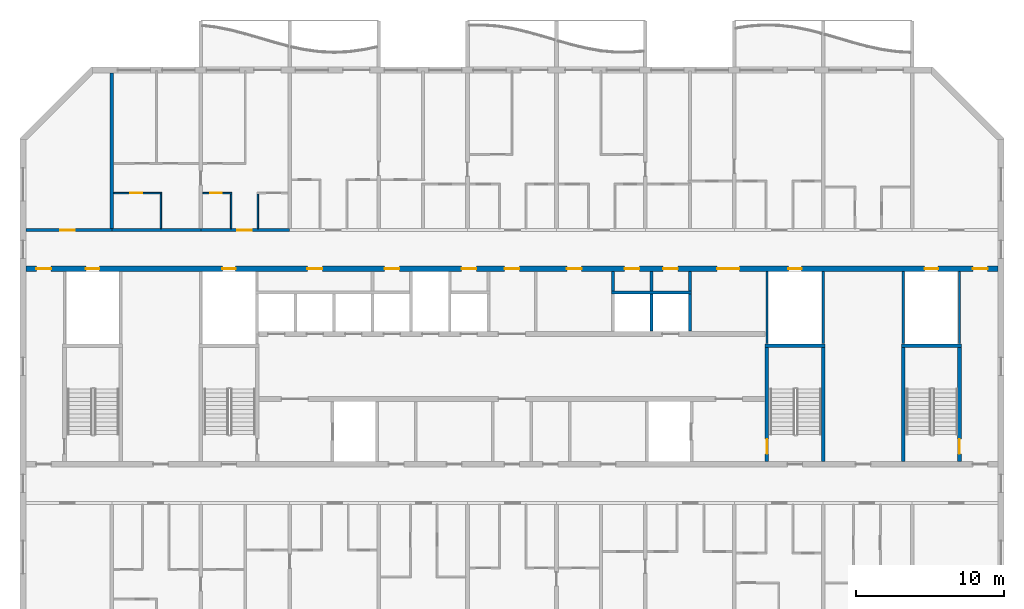
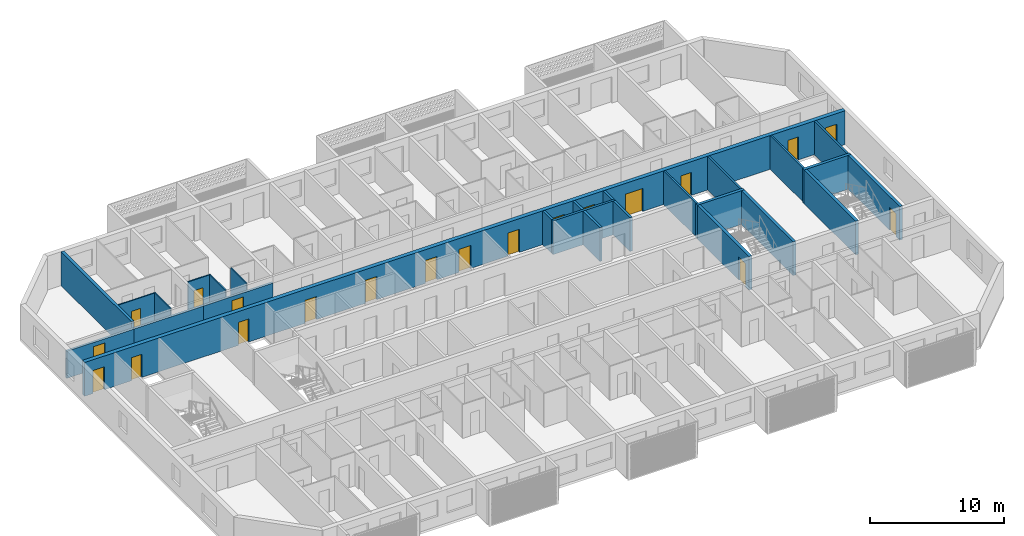
# One storey, part 7 of 27: 26 walls, 20 doors, 20 openings.
"""IFC4 building model written with IfcOpenShell, lengths in metres."""

from ifc_helpers import new_model, si_unit, direction, frame, frame_2d, origin, place, context, subcontext, project, spatial, rectangle, extrude, material, layer, layer_set, type_object, element, fill, save


model = new_model("IFC4")

# Units and contexts
model_context = context("Model", 3, precision=1e-05, world=origin(), true_north=direction((0.0, 1.0)))
body_context = subcontext(model_context, "Body", "Model", "MODEL_VIEW")
ifc_project = project(units=[si_unit("LENGTHUNIT", "METRE"), si_unit("AREAUNIT", "SQUARE_METRE"), si_unit("VOLUMEUNIT", "CUBIC_METRE"), si_unit("PLANEANGLEUNIT", "RADIAN"), si_unit("MASSUNIT", "GRAM", prefix="KILO")], contexts=[model_context])

# Site, building, storey
site_placement = place(None, origin())
site = spatial("IfcSite", under=ifc_project, at=site_placement, CompositionType="ELEMENT")
building_placement = place(site_placement, origin())
building = spatial("IfcBuilding", under=site, at=building_placement, Name="Poui Terraces", CompositionType="ELEMENT")
storey_placement = place(building_placement, frame((0.0, 0.0, 251.10009765625)))
storey = spatial("IfcBuildingStorey", under=building, at=storey_placement, Name="L70", CompositionType="ELEMENT", Elevation=251.10009765625)

# Wall, opening, door
ifc_material_1 = material(Name="Concrete 50 MPa", Category="concrete")
ifc_layer_1 = layer(ifc_material_1, 0.199951171875)
ifc_layer_set_1 = layer_set([ifc_layer_1], Name="Concrete 50 MPa")
wall_type_1 = type_object("IfcWallType", Name="CORRIDOR WALL 200 50MPa", PredefinedType="SHEAR", material=ifc_layer_set_1)
wall_1_placement = place(storey_placement, frame((18.199951171875, 30.39990234375, 0.0), z_axis=(0.0, 0.0, 1.0), x_axis=(1.0, 0.0, 0.0)))
wall_1 = element("IfcWall", 1, at=wall_1_placement, inside=storey, type_object=wall_type_1, Name="CORRIDOR WALL LINE E BAY 1", PredefinedType="SHEAR", context=body_context, shape_type="SweptSolid", body=[
    extrude(rectangle(XDim=5.800048828125, YDim=0.199951171875, at=frame_2d((2.89990234375, 0.0))), origin(), (0.0, 0.0, 1.0), 2.47998046875),
])
opening_1_placement = place(wall_1_placement, frame((2.300048828125, 0.0, 0.0)))
opening_1 = element("IfcOpeningElement", 2, at=opening_1_placement, cuts=wall_1, Name="Opening D100", PredefinedType="OPENING", context=body_context, shape_type="SweptSolid", body=[
    extrude(rectangle(XDim=1.0, YDim=2.10009765625, at=frame_2d((0.5, 1.050048828125))), frame((0.0, 0.10986328125, 0.0), z_axis=(0.0, -1.0, 0.0), x_axis=(1.0, 0.0, 0.0)), (0.0, 0.0, 1.0), 0.219970703125),
])
ifc_material_2 = material(Name="Solid core timber door", Category="wood")
door_type_1 = type_object("IfcDoorType", Name="ACCESSIBLE INTERNAL DOOR 1000 X 2100", OperationType="NOTDEFINED", PredefinedType="DOOR", material=ifc_material_2)
door_1_placement = place(opening_1_placement, origin())
door_1 = element("IfcDoor", 3, at=door_1_placement, inside=storey, type_object=door_type_1, Name="ACCESSIBLE INTERNAL DOOR 026", OperationType="SINGLE_SWING_LEFT", OverallHeight=2.10009765625, OverallWidth=1.0, PredefinedType="DOOR", context=body_context, shape_type="SweptSolid", body=[
    extrude(rectangle(XDim=1.0, YDim=2.10009765625, at=frame_2d((0.5, 1.050048828125))), frame((0.0, 0.02490234375, 0.0), z_axis=(0.0, -1.0, 0.0), x_axis=(1.0, 0.0, 0.0)), (0.0, 0.0, 1.0), 0.050048828125),
])
fill(opening_1, door_1)

# Wall
wall_2_placement = place(storey_placement, frame((24.0, 30.39990234375, 0.0), z_axis=(0.0, 0.0, 1.0), x_axis=(1.0, 0.0, 0.0)))
element("IfcWall", 4, at=wall_2_placement, inside=storey, type_object=wall_type_1, Name="CORRIDOR WALL LINE E BAY 2", PredefinedType="SHEAR", context=body_context, shape_type="SweptSolid", body=[
    extrude(rectangle(XDim=6.0, YDim=0.199951171875, at=frame_2d((3.0, 0.0))), origin(), (0.0, 0.0, 1.0), 2.47998046875),
])

# Wall, opening, door
wall_3_placement = place(storey_placement, frame((30.0, 30.39990234375, 0.0), z_axis=(0.0, 0.0, 1.0), x_axis=(1.0, 0.0, 0.0)))
wall_3 = element("IfcWall", 5, at=wall_3_placement, inside=storey, type_object=wall_type_1, Name="CORRIDOR WALL LINE E BAY 3", PredefinedType="SHEAR", context=body_context, shape_type="SweptSolid", body=[
    extrude(rectangle(XDim=6.0, YDim=0.199951171875, at=frame_2d((3.0, 0.0))), origin(), (0.0, 0.0, 1.0), 2.47998046875),
])
opening_2_placement = place(wall_3_placement, frame((2.449951171875, 0.0, 0.0)))
opening_2 = element("IfcOpeningElement", 6, at=opening_2_placement, cuts=wall_3, Name="Opening FD30S", PredefinedType="OPENING", context=body_context, shape_type="SweptSolid", body=[
    extrude(rectangle(XDim=1.0, YDim=2.10009765625, at=frame_2d((0.5, 1.050048828125))), frame((0.0, 0.10986328125, 0.0), z_axis=(0.0, -1.0, 0.0), x_axis=(1.0, 0.0, 0.0)), (0.0, 0.0, 1.0), 0.219970703125),
])
ifc_material_3 = material(Name="Steel fire door", Category="steel")
door_type_2 = type_object("IfcDoorType", Name="FLAT ENTRANCE DOOR 1000 X 2100", OperationType="NOTDEFINED", PredefinedType="DOOR", material=ifc_material_3)
door_2_placement = place(opening_2_placement, origin())
door_2 = element("IfcDoor", 7, at=door_2_placement, inside=storey, type_object=door_type_2, Name="FLAT ENTRANCE DOOR 033", OperationType="SINGLE_SWING_LEFT", OverallHeight=2.10009765625, OverallWidth=1.0, PredefinedType="DOOR", context=body_context, shape_type="SweptSolid", body=[
    extrude(rectangle(XDim=1.0, YDim=2.10009765625, at=frame_2d((0.5, 1.050048828125))), frame((0.0, 0.02490234375, 0.0), z_axis=(0.0, -1.0, 0.0), x_axis=(1.0, 0.0, 0.0)), (0.0, 0.0, 1.0), 0.050048828125),
])
fill(opening_2, door_2)

# Wall
ifc_layer_2 = layer(ifc_material_1, 0.25)
ifc_layer_set_2 = layer_set([ifc_layer_2], Name="Concrete 50 MPa")
wall_type_2 = type_object("IfcWallType", Name="CROSS WALL 250 50MPa", PredefinedType="SHEAR", material=ifc_layer_set_2)
wall_4_placement = place(storey_placement, frame((24.0, 30.5, 0.0), z_axis=(0.0, 0.0, 1.0), x_axis=(0.0, 1.0, 0.0)))
element("IfcWall", 8, at=wall_4_placement, inside=storey, type_object=wall_type_2, Name="CROSS WALL LINE 5 NORTH", PredefinedType="SHEAR", context=body_context, shape_type="SweptSolid", body=[
    extrude(rectangle(XDim=10.5, YDim=0.25, at=frame_2d((5.25, 0.0))), origin(), (0.0, 0.0, 1.0), 3.079833984375),
])

# Wall, opening, door
ifc_material_4 = material(Name="Plasterboard partition")
ifc_layer_3 = layer(ifc_material_4, 0.10009765625)
ifc_layer_set_3 = layer_set([ifc_layer_3], Name="Plasterboard partition")
wall_type_3 = type_object("IfcWallType", Name="FLAT PARTITION 100", PredefinedType="PARTITIONING", material=ifc_layer_set_3)
wall_5_placement = place(storey_placement, frame((24.135009765625, 32.89990234375, 0.0), z_axis=(0.0, 0.0, 1.0), x_axis=(1.0, 0.0, 0.0)))
wall_5 = element("IfcWall", 9, at=wall_5_placement, inside=storey, type_object=wall_type_3, Name="FLAT PARTITION 100", PredefinedType="PARTITIONING", context=body_context, shape_type="SweptSolid", body=[
    extrude(rectangle(XDim=3.215087890625, YDim=0.10009765625, at=frame_2d((1.607421875, 0.0))), origin(), (0.0, 0.0, 1.0), 3.079833984375),
])
opening_3_placement = place(wall_5_placement, frame((1.114990234375, 0.0, 0.0)))
opening_3 = element("IfcOpeningElement", 10, at=opening_3_placement, cuts=wall_5, Name="Opening D80", PredefinedType="OPENING", context=body_context, shape_type="SweptSolid", body=[
    extrude(rectangle(XDim=0.800048828125, YDim=2.10009765625, at=frame_2d((0.39990234375, 1.050048828125))), frame((0.0, 0.06005859375, 0.0), z_axis=(0.0, -1.0, 0.0), x_axis=(1.0, 0.0, 0.0)), (0.0, 0.0, 1.0), 0.1201171875),
])
door_type_3 = type_object("IfcDoorType", Name="BATHROOM, LAUNDRY AND STORE DOOR 800 X 2100", OperationType="NOTDEFINED", PredefinedType="DOOR", material=ifc_material_2)
door_3_placement = place(opening_3_placement, frame((0.800048828125, 0.0, 0.0), z_axis=(0.0, 0.0, 1.0), x_axis=(-1.0, 0.0, 0.0)))
door_3 = element("IfcDoor", 11, at=door_3_placement, inside=storey, type_object=door_type_3, Name="BATHROOM, LAUNDRY AND STORE DOOR 027", OperationType="SINGLE_SWING_LEFT", OverallHeight=2.10009765625, OverallWidth=0.800048828125, PredefinedType="DOOR", context=body_context, shape_type="SweptSolid", body=[
    extrude(rectangle(XDim=0.800048828125, YDim=2.10009765625, at=frame_2d((0.39990234375, 1.050048828125))), frame((0.0, 0.02490234375, 0.0), z_axis=(0.0, -1.0, 0.0), x_axis=(1.0, 0.0, 0.0)), (0.0, 0.0, 1.0), 0.050048828125),
])
fill(opening_3, door_3)

wall_6_placement = place(storey_placement, frame((30.135009765625, 32.89990234375, 0.0), z_axis=(0.0, 0.0, 1.0), x_axis=(1.0, 0.0, 0.0)))
wall_6 = element("IfcWall", 12, at=wall_6_placement, inside=storey, type_object=wall_type_3, Name="FLAT PARTITION 100", PredefinedType="PARTITIONING", context=body_context, shape_type="SweptSolid", body=[
    extrude(rectangle(XDim=1.965087890625, YDim=0.10009765625, at=frame_2d((0.982421875, 0.0))), origin(), (0.0, 0.0, 1.0), 3.079833984375),
])
opening_4_placement = place(wall_6_placement, frame((0.489990234375, 0.0, 0.0)))
opening_4 = element("IfcOpeningElement", 13, at=opening_4_placement, cuts=wall_6, Name="Opening D80", PredefinedType="OPENING", context=body_context, shape_type="SweptSolid", body=[
    extrude(rectangle(XDim=0.800048828125, YDim=2.10009765625, at=frame_2d((0.39990234375, 1.050048828125))), frame((0.0, 0.06005859375, 0.0), z_axis=(0.0, -1.0, 0.0), x_axis=(1.0, 0.0, 0.0)), (0.0, 0.0, 1.0), 0.1201171875),
])
door_4_placement = place(opening_4_placement, frame((0.800048828125, 0.0, 0.0), z_axis=(0.0, 0.0, 1.0), x_axis=(-1.0, 0.0, 0.0)))
door_4 = element("IfcDoor", 14, at=door_4_placement, inside=storey, type_object=door_type_3, Name="BATHROOM, LAUNDRY AND STORE DOOR 032", OperationType="SINGLE_SWING_RIGHT", OverallHeight=2.10009765625, OverallWidth=0.800048828125, PredefinedType="DOOR", context=body_context, shape_type="SweptSolid", body=[
    extrude(rectangle(XDim=0.800048828125, YDim=2.10009765625, at=frame_2d((0.39990234375, 1.050048828125))), frame((0.0, 0.02490234375, 0.0), z_axis=(0.0, -1.0, 0.0), x_axis=(1.0, 0.0, 0.0)), (0.0, 0.0, 1.0), 0.050048828125),
])
fill(opening_4, door_4)

# Walls
for number, where, z_axis, x_axis, name in (
    (15, (27.300048828125, 30.510009765625, 0.0), (0.0, 0.0, 1.0), (0.0, 1.0, 0.0), "FLAT PARTITION 100"),
    (16, (32.050048828125, 30.510009765625, 0.0), (0.0, 0.0, 1.0), (0.0, 1.0, 0.0), "FLAT PARTITION 100"),
    (17, (33.85009765625, 30.510009765625, 0.0), (0.0, 0.0, 1.0), (0.0, 1.0, 0.0), "FLAT PARTITION 100"),
):
    element("IfcWall", number, at=place(storey_placement, frame(where, z_axis=z_axis, x_axis=x_axis)), inside=storey, type_object=wall_type_3, Name=name, PredefinedType="PARTITIONING", context=body_context, shape_type="SweptSolid", body=[
        extrude(rectangle(XDim=2.340087890625, YDim=0.10009765625, at=frame_2d((1.169921875, 0.0))), origin(), (0.0, 0.0, 1.0), 3.079833984375),
    ])
ifc_material_5 = material(Name="Fire-rated masonry wall", Category="masonry")
ifc_layer_4 = layer(ifc_material_5, 0.199951171875)
ifc_layer_set_4 = layer_set([ifc_layer_4], Name="Fire-rated masonry wall")
wall_type_4 = type_object("IfcWallType", Name="PLANT ROOM WALL 200", PredefinedType="PARTITIONING", material=ifc_layer_set_4)
for number, where, z_axis, x_axis, name in (
    (18, (57.800048828125, 26.300048828125, 0.0), (0.0, 0.0, 1.0), (0.0, 1.0, 0.0), "PLANT ROOM WALL 200"),
    (19, (60.39990234375, 26.300048828125, 0.0), (0.0, 0.0, 1.0), (0.0, 1.0, 0.0), "PLANT ROOM WALL 200"),
    (20, (63.0, 26.300048828125, 0.0), (0.0, 0.0, 1.0), (0.0, 1.0, 0.0), "PLANT ROOM WALL 200"),
):
    element("IfcWall", number, at=place(storey_placement, frame(where, z_axis=z_axis, x_axis=x_axis)), inside=storey, type_object=wall_type_4, Name=name, PredefinedType="PARTITIONING", context=body_context, shape_type="SweptSolid", body=[
        extrude(rectangle(XDim=1.31494140625, YDim=0.199951171875, at=frame_2d((0.657470703125, 0.0))), origin(), (0.0, 0.0, 1.0), 3.079833984375),
    ])
ifc_material_6 = material(Name="Fire-rated plasterboard riser wall")
ifc_layer_5 = layer(ifc_material_6, 0.14990234375)
ifc_layer_set_5 = layer_set([ifc_layer_5], Name="Fire-rated plasterboard riser wall")
wall_type_5 = type_object("IfcWallType", Name="RISER WALL 150", PredefinedType="PARTITIONING", material=ifc_layer_set_5)
for number, where, z_axis, x_axis, name in (
    (21, (68.199951171875, 22.735107421875, 0.0), (0.0, 0.0, 1.0), (0.0, 1.0, 0.0), "RISER WALL 150"),
    (22, (72.0, 22.735107421875, 0.0), (0.0, 0.0, 1.0), (0.0, 1.0, 0.0), "RISER WALL 150"),
    (23, (77.39990234375, 22.735107421875, 0.0), (0.0, 0.0, 1.0), (0.0, 1.0, 0.0), "RISER WALL 150"),
    (24, (81.199951171875, 22.735107421875, 0.0), (0.0, 0.0, 1.0), (0.0, 1.0, 0.0), "RISER WALL 150"),
):
    element("IfcWall", number, at=place(storey_placement, frame(where, z_axis=z_axis, x_axis=x_axis)), inside=storey, type_object=wall_type_5, Name=name, PredefinedType="PARTITIONING", context=body_context, shape_type="SweptSolid", body=[
        extrude(rectangle(XDim=4.8798828125, YDim=0.14990234375, at=frame_2d((2.43994140625, 0.0))), origin(), (0.0, 0.0, 1.0), 3.079833984375),
    ])
ifc_material_7 = material(Name="Fire-rated masonry shaft wall", Category="masonry")
ifc_layer_6 = layer(ifc_material_7, 0.199951171875)
ifc_layer_set_6 = layer_set([ifc_layer_6], Name="Fire-rated masonry shaft wall")
wall_type_6 = type_object("IfcWallType", Name="SHAFT WALL 200", PredefinedType="PARTITIONING", material=ifc_layer_set_6)
wall_7_placement = place(storey_placement, frame((57.699951171875, 26.199951171875, 0.0), z_axis=(0.0, 0.0, 1.0), x_axis=(1.0, 0.0, 0.0)))
element("IfcWall", 25, at=wall_7_placement, inside=storey, type_object=wall_type_6, Name="SHAFT WALL 200", PredefinedType="PARTITIONING", context=body_context, shape_type="SweptSolid", body=[
    extrude(rectangle(XDim=5.400146484375, YDim=0.199951171875, at=frame_2d((2.7001953125, 0.0))), origin(), (0.0, 0.0, 1.0), 3.079833984375),
])
for number, where, z_axis, x_axis, name in (
    (26, (60.39990234375, 23.5849609375, 0.0), (0.0, 0.0, 1.0), (0.0, 1.0, 0.0), "SHAFT WALL 200"),
    (27, (63.0, 23.5849609375, 0.0), (0.0, 0.0, 1.0), (0.0, 1.0, 0.0), "SHAFT WALL 200"),
):
    element("IfcWall", number, at=place(storey_placement, frame(where, z_axis=z_axis, x_axis=x_axis)), inside=storey, type_object=wall_type_6, Name=name, PredefinedType="PARTITIONING", context=body_context, shape_type="SweptSolid", body=[
        extrude(rectangle(XDim=2.51513671875, YDim=0.199951171875, at=frame_2d((1.257568359375, 0.0))), origin(), (0.0, 0.0, 1.0), 3.079833984375),
    ])

# Wall, openings, doors
ifc_layer_7 = layer(ifc_material_1, 0.35009765625)
ifc_layer_set_7 = layer_set([ifc_layer_7], Name="Concrete 50 MPa")
wall_type_7 = type_object("IfcWallType", Name="SPINE WALL 350 50 MPA", PredefinedType="SOLIDWALL", material=ifc_layer_set_7)
wall_8_placement = place(storey_placement, frame((18.199951171875, 27.800048828125, 0.0), z_axis=(0.0, 0.0, 1.0), x_axis=(1.0, 0.0, 0.0)))
wall_8 = element("IfcWall", 28, at=wall_8_placement, inside=storey, type_object=wall_type_7, Name="SPINE WALL", PredefinedType="SOLIDWALL", context=body_context, shape_type="SweptSolid", body=[
    extrude(rectangle(XDim=65.60009765625, YDim=0.35009765625, at=frame_2d((32.800048828125, 0.0))), origin(), (0.0, 0.0, 1.0), 3.079833984375),
])
opening_5_placement = place(wall_8_placement, frame((0.699951171875, 0.0, 0.0)))
opening_5 = element("IfcOpeningElement", 29, at=opening_5_placement, cuts=wall_8, Name="Opening FDL", PredefinedType="OPENING", context=body_context, shape_type="SweptSolid", body=[
    extrude(rectangle(XDim=1.0, YDim=2.10009765625, at=frame_2d((0.5, 1.050048828125))), frame((0.0, 0.18505859375, 0.0), z_axis=(0.0, -1.0, 0.0), x_axis=(1.0, 0.0, 0.0)), (0.0, 0.0, 1.0), 0.3701171875),
])
opening_6_placement = place(wall_8_placement, frame((4.050048828125, 0.0, 0.0)))
opening_6 = element("IfcOpeningElement", 30, at=opening_6_placement, cuts=wall_8, Name="Opening FDR", PredefinedType="OPENING", context=body_context, shape_type="SweptSolid", body=[
    extrude(rectangle(XDim=0.89990234375, YDim=2.10009765625, at=frame_2d((0.449951171875, 1.050048828125))), frame((0.0, 0.18505859375, 0.0), z_axis=(0.0, -1.0, 0.0), x_axis=(1.0, 0.0, 0.0)), (0.0, 0.0, 1.0), 0.3701171875),
])
opening_7_placement = place(wall_8_placement, frame((13.25, 0.0, 0.0)))
opening_7 = element("IfcOpeningElement", 31, at=opening_7_placement, cuts=wall_8, Name="Opening FDR", PredefinedType="OPENING", context=body_context, shape_type="SweptSolid", body=[
    extrude(rectangle(XDim=0.89990234375, YDim=2.10009765625, at=frame_2d((0.449951171875, 1.050048828125))), frame((0.0, 0.18505859375, 0.0), z_axis=(0.0, -1.0, 0.0), x_axis=(1.0, 0.0, 0.0)), (0.0, 0.0, 1.0), 0.3701171875),
])
opening_8_placement = place(wall_8_placement, frame((19.0, 0.0, 0.0)))
opening_8 = element("IfcOpeningElement", 32, at=opening_8_placement, cuts=wall_8, Name="Opening FD60", PredefinedType="OPENING", context=body_context, shape_type="SweptSolid", body=[
    extrude(rectangle(XDim=1.0, YDim=2.10009765625, at=frame_2d((0.5, 1.050048828125))), frame((0.0, 0.18505859375, 0.0), z_axis=(0.0, -1.0, 0.0), x_axis=(1.0, 0.0, 0.0)), (0.0, 0.0, 1.0), 0.3701171875),
])
opening_9_placement = place(wall_8_placement, frame((24.199951171875, 0.0, 0.0)))
opening_9 = element("IfcOpeningElement", 33, at=opening_9_placement, cuts=wall_8, Name="Opening FD60", PredefinedType="OPENING", context=body_context, shape_type="SweptSolid", body=[
    extrude(rectangle(XDim=1.0, YDim=2.10009765625, at=frame_2d((0.5, 1.050048828125))), frame((0.0, 0.18505859375, 0.0), z_axis=(0.0, -1.0, 0.0), x_axis=(1.0, 0.0, 0.0)), (0.0, 0.0, 1.0), 0.3701171875),
])
opening_10_placement = place(wall_8_placement, frame((29.39990234375, 0.0, 0.0)))
opening_10 = element("IfcOpeningElement", 34, at=opening_10_placement, cuts=wall_8, Name="Opening FD60", PredefinedType="OPENING", context=body_context, shape_type="SweptSolid", body=[
    extrude(rectangle(XDim=1.0, YDim=2.10009765625, at=frame_2d((0.5, 1.050048828125))), frame((0.0, 0.18505859375, 0.0), z_axis=(0.0, -1.0, 0.0), x_axis=(1.0, 0.0, 0.0)), (0.0, 0.0, 1.0), 0.3701171875),
])
opening_11_placement = place(wall_8_placement, frame((32.300048828125, 0.0, 0.0)))
opening_11 = element("IfcOpeningElement", 35, at=opening_11_placement, cuts=wall_8, Name="Opening FDL", PredefinedType="OPENING", context=body_context, shape_type="SweptSolid", body=[
    extrude(rectangle(XDim=1.0, YDim=2.10009765625, at=frame_2d((0.5, 1.050048828125))), frame((0.0, 0.18505859375, 0.0), z_axis=(0.0, -1.0, 0.0), x_axis=(1.0, 0.0, 0.0)), (0.0, 0.0, 1.0), 0.3701171875),
])
opening_12_placement = place(wall_8_placement, frame((36.5, 0.0, 0.0)))
opening_12 = element("IfcOpeningElement", 36, at=opening_12_placement, cuts=wall_8, Name="Opening FD60", PredefinedType="OPENING", context=body_context, shape_type="SweptSolid", body=[
    extrude(rectangle(XDim=1.0, YDim=2.10009765625, at=frame_2d((0.5, 1.050048828125))), frame((0.0, 0.18505859375, 0.0), z_axis=(0.0, -1.0, 0.0), x_axis=(1.0, 0.0, 0.0)), (0.0, 0.0, 1.0), 0.3701171875),
])
opening_13_placement = place(wall_8_placement, frame((40.39990234375, 0.0, 0.0)))
opening_13 = element("IfcOpeningElement", 37, at=opening_13_placement, cuts=wall_8, Name="Opening FD60", PredefinedType="OPENING", context=body_context, shape_type="SweptSolid", body=[
    extrude(rectangle(XDim=1.0, YDim=2.10009765625, at=frame_2d((0.5, 1.050048828125))), frame((0.0, 0.18505859375, 0.0), z_axis=(0.0, -1.0, 0.0), x_axis=(1.0, 0.0, 0.0)), (0.0, 0.0, 1.0), 0.3701171875),
])
opening_14_placement = place(wall_8_placement, frame((43.0, 0.0, 0.0)))
opening_14 = element("IfcOpeningElement", 38, at=opening_14_placement, cuts=wall_8, Name="Opening FD60", PredefinedType="OPENING", context=body_context, shape_type="SweptSolid", body=[
    extrude(rectangle(XDim=1.0, YDim=2.10009765625, at=frame_2d((0.5, 1.050048828125))), frame((0.0, 0.18505859375, 0.0), z_axis=(0.0, -1.0, 0.0), x_axis=(1.0, 0.0, 0.0)), (0.0, 0.0, 1.0), 0.3701171875),
])
opening_15_placement = place(wall_8_placement, frame((46.64990234375, 0.0, 0.0)))
opening_15 = element("IfcOpeningElement", 39, at=opening_15_placement, cuts=wall_8, Name="Opening FDP", PredefinedType="OPENING", context=body_context, shape_type="SweptSolid", body=[
    extrude(rectangle(XDim=1.5, YDim=2.10009765625, at=frame_2d((0.75, 1.050048828125))), frame((0.0, 0.18505859375, 0.0), z_axis=(0.0, -1.0, 0.0), x_axis=(1.0, 0.0, 0.0)), (0.0, 0.0, 1.0), 0.3701171875),
])
opening_16_placement = place(wall_8_placement, frame((51.449951171875, 0.0, 0.0)))
opening_16 = element("IfcOpeningElement", 40, at=opening_16_placement, cuts=wall_8, Name="Opening FDR", PredefinedType="OPENING", context=body_context, shape_type="SweptSolid", body=[
    extrude(rectangle(XDim=0.89990234375, YDim=2.10009765625, at=frame_2d((0.449951171875, 1.050048828125))), frame((0.0, 0.18505859375, 0.0), z_axis=(0.0, -1.0, 0.0), x_axis=(1.0, 0.0, 0.0)), (0.0, 0.0, 1.0), 0.3701171875),
])
opening_17_placement = place(wall_8_placement, frame((60.64990234375, 0.0, 0.0)))
opening_17 = element("IfcOpeningElement", 41, at=opening_17_placement, cuts=wall_8, Name="Opening FDR", PredefinedType="OPENING", context=body_context, shape_type="SweptSolid", body=[
    extrude(rectangle(XDim=0.89990234375, YDim=2.10009765625, at=frame_2d((0.449951171875, 1.050048828125))), frame((0.0, 0.18505859375, 0.0), z_axis=(0.0, -1.0, 0.0), x_axis=(1.0, 0.0, 0.0)), (0.0, 0.0, 1.0), 0.3701171875),
])
opening_18_placement = place(wall_8_placement, frame((63.89990234375, 0.0, 0.0)))
opening_18 = element("IfcOpeningElement", 42, at=opening_18_placement, cuts=wall_8, Name="Opening FDL", PredefinedType="OPENING", context=body_context, shape_type="SweptSolid", body=[
    extrude(rectangle(XDim=1.0, YDim=2.10009765625, at=frame_2d((0.5, 1.050048828125))), frame((0.0, 0.18505859375, 0.0), z_axis=(0.0, -1.0, 0.0), x_axis=(1.0, 0.0, 0.0)), (0.0, 0.0, 1.0), 0.3701171875),
])
door_type_4 = type_object("IfcDoorType", Name="LOBBY FIRE DOOR 1000 X 2100", OperationType="NOTDEFINED", PredefinedType="DOOR", material=ifc_material_3)
door_5_placement = place(opening_5_placement, origin())
door_5 = element("IfcDoor", 43, at=door_5_placement, inside=storey, type_object=door_type_4, Name="LOBBY FIRE DOOR 001", OperationType="SINGLE_SWING_LEFT", OverallHeight=2.10009765625, OverallWidth=1.0, PredefinedType="DOOR", context=body_context, shape_type="SweptSolid", body=[
    extrude(rectangle(XDim=1.0, YDim=2.10009765625, at=frame_2d((0.5, 1.050048828125))), frame((0.0, 0.02490234375, 0.0), z_axis=(0.0, -1.0, 0.0), x_axis=(1.0, 0.0, 0.0)), (0.0, 0.0, 1.0), 0.050048828125),
])
fill(opening_5, door_5)
door_6_placement = place(opening_11_placement, origin())
door_6 = element("IfcDoor", 44, at=door_6_placement, inside=storey, type_object=door_type_4, Name="LOBBY FIRE DOOR 007", OperationType="SINGLE_SWING_RIGHT", OverallHeight=2.10009765625, OverallWidth=1.0, PredefinedType="DOOR", context=body_context, shape_type="SweptSolid", body=[
    extrude(rectangle(XDim=1.0, YDim=2.10009765625, at=frame_2d((0.5, 1.050048828125))), frame((0.0, 0.02490234375, 0.0), z_axis=(0.0, -1.0, 0.0), x_axis=(1.0, 0.0, 0.0)), (0.0, 0.0, 1.0), 0.050048828125),
])
fill(opening_11, door_6)
door_7_placement = place(opening_18_placement, origin())
door_7 = element("IfcDoor", 45, at=door_7_placement, inside=storey, type_object=door_type_4, Name="LOBBY FIRE DOOR 014", OperationType="SINGLE_SWING_RIGHT", OverallHeight=2.10009765625, OverallWidth=1.0, PredefinedType="DOOR", context=body_context, shape_type="SweptSolid", body=[
    extrude(rectangle(XDim=1.0, YDim=2.10009765625, at=frame_2d((0.5, 1.050048828125))), frame((0.0, 0.02490234375, 0.0), z_axis=(0.0, -1.0, 0.0), x_axis=(1.0, 0.0, 0.0)), (0.0, 0.0, 1.0), 0.050048828125),
])
fill(opening_18, door_7)
door_type_5 = type_object("IfcDoorType", Name="PLANT ROOM DOOR PAIR 1500 X 2100", OperationType="DOUBLE_DOOR_SINGLE_SWING", PredefinedType="DOOR", material=ifc_material_3)
door_8_placement = place(opening_15_placement, origin())
door_8 = element("IfcDoor", 46, at=door_8_placement, inside=storey, type_object=door_type_5, Name="PLANT ROOM DOOR PAIR 011", OperationType="DOUBLE_DOOR_SINGLE_SWING", OverallHeight=2.10009765625, OverallWidth=1.5, PredefinedType="DOOR", context=body_context, shape_type="SweptSolid", body=[
    extrude(rectangle(XDim=1.5, YDim=2.10009765625, at=frame_2d((0.75, 1.050048828125))), frame((0.0, 0.02490234375, 0.0), z_axis=(0.0, -1.0, 0.0), x_axis=(1.0, 0.0, 0.0)), (0.0, 0.0, 1.0), 0.050048828125),
])
fill(opening_15, door_8)
door_type_6 = type_object("IfcDoorType", Name="RISER CUPBOARD DOOR 900 X 2100", OperationType="NOTDEFINED", PredefinedType="DOOR", material=ifc_material_3)
door_9_placement = place(opening_6_placement, origin())
door_9 = element("IfcDoor", 47, at=door_9_placement, inside=storey, type_object=door_type_6, Name="RISER CUPBOARD DOOR 002", OperationType="SINGLE_SWING_LEFT", OverallHeight=2.10009765625, OverallWidth=0.89990234375, PredefinedType="DOOR", context=body_context, shape_type="SweptSolid", body=[
    extrude(rectangle(XDim=0.89990234375, YDim=2.10009765625, at=frame_2d((0.449951171875, 1.050048828125))), frame((0.0, 0.02490234375, 0.0), z_axis=(0.0, -1.0, 0.0), x_axis=(1.0, 0.0, 0.0)), (0.0, 0.0, 1.0), 0.050048828125),
])
fill(opening_6, door_9)
door_10_placement = place(opening_7_placement, origin())
door_10 = element("IfcDoor", 48, at=door_10_placement, inside=storey, type_object=door_type_6, Name="RISER CUPBOARD DOOR 003", OperationType="SINGLE_SWING_LEFT", OverallHeight=2.10009765625, OverallWidth=0.89990234375, PredefinedType="DOOR", context=body_context, shape_type="SweptSolid", body=[
    extrude(rectangle(XDim=0.89990234375, YDim=2.10009765625, at=frame_2d((0.449951171875, 1.050048828125))), frame((0.0, 0.02490234375, 0.0), z_axis=(0.0, -1.0, 0.0), x_axis=(1.0, 0.0, 0.0)), (0.0, 0.0, 1.0), 0.050048828125),
])
fill(opening_7, door_10)
door_11_placement = place(opening_16_placement, origin())
door_11 = element("IfcDoor", 49, at=door_11_placement, inside=storey, type_object=door_type_6, Name="RISER CUPBOARD DOOR 012", OperationType="SINGLE_SWING_RIGHT", OverallHeight=2.10009765625, OverallWidth=0.89990234375, PredefinedType="DOOR", context=body_context, shape_type="SweptSolid", body=[
    extrude(rectangle(XDim=0.89990234375, YDim=2.10009765625, at=frame_2d((0.449951171875, 1.050048828125))), frame((0.0, 0.02490234375, 0.0), z_axis=(0.0, -1.0, 0.0), x_axis=(1.0, 0.0, 0.0)), (0.0, 0.0, 1.0), 0.050048828125),
])
fill(opening_16, door_11)
door_12_placement = place(opening_17_placement, origin())
door_12 = element("IfcDoor", 50, at=door_12_placement, inside=storey, type_object=door_type_6, Name="RISER CUPBOARD DOOR 013", OperationType="SINGLE_SWING_RIGHT", OverallHeight=2.10009765625, OverallWidth=0.89990234375, PredefinedType="DOOR", context=body_context, shape_type="SweptSolid", body=[
    extrude(rectangle(XDim=0.89990234375, YDim=2.10009765625, at=frame_2d((0.449951171875, 1.050048828125))), frame((0.0, 0.02490234375, 0.0), z_axis=(0.0, -1.0, 0.0), x_axis=(1.0, 0.0, 0.0)), (0.0, 0.0, 1.0), 0.050048828125),
])
fill(opening_17, door_12)
door_type_7 = type_object("IfcDoorType", Name="SERVICE ROOM FIRE DOOR 1000 X 2100", OperationType="NOTDEFINED", PredefinedType="DOOR", material=ifc_material_3)
door_13_placement = place(opening_8_placement, origin())
door_13 = element("IfcDoor", 51, at=door_13_placement, inside=storey, type_object=door_type_7, Name="SERVICE ROOM FIRE DOOR 004", OperationType="SINGLE_SWING_LEFT", OverallHeight=2.10009765625, OverallWidth=1.0, PredefinedType="DOOR", context=body_context, shape_type="SweptSolid", body=[
    extrude(rectangle(XDim=1.0, YDim=2.10009765625, at=frame_2d((0.5, 1.050048828125))), frame((0.0, 0.02490234375, 0.0), z_axis=(0.0, -1.0, 0.0), x_axis=(1.0, 0.0, 0.0)), (0.0, 0.0, 1.0), 0.050048828125),
])
fill(opening_8, door_13)
door_14_placement = place(opening_9_placement, origin())
door_14 = element("IfcDoor", 52, at=door_14_placement, inside=storey, type_object=door_type_7, Name="SERVICE ROOM FIRE DOOR 005", OperationType="SINGLE_SWING_RIGHT", OverallHeight=2.10009765625, OverallWidth=1.0, PredefinedType="DOOR", context=body_context, shape_type="SweptSolid", body=[
    extrude(rectangle(XDim=1.0, YDim=2.10009765625, at=frame_2d((0.5, 1.050048828125))), frame((0.0, 0.02490234375, 0.0), z_axis=(0.0, -1.0, 0.0), x_axis=(1.0, 0.0, 0.0)), (0.0, 0.0, 1.0), 0.050048828125),
])
fill(opening_9, door_14)
door_15_placement = place(opening_10_placement, origin())
door_15 = element("IfcDoor", 53, at=door_15_placement, inside=storey, type_object=door_type_7, Name="SERVICE ROOM FIRE DOOR 006", OperationType="SINGLE_SWING_LEFT", OverallHeight=2.10009765625, OverallWidth=1.0, PredefinedType="DOOR", context=body_context, shape_type="SweptSolid", body=[
    extrude(rectangle(XDim=1.0, YDim=2.10009765625, at=frame_2d((0.5, 1.050048828125))), frame((0.0, 0.02490234375, 0.0), z_axis=(0.0, -1.0, 0.0), x_axis=(1.0, 0.0, 0.0)), (0.0, 0.0, 1.0), 0.050048828125),
])
fill(opening_10, door_15)
door_16_placement = place(opening_12_placement, origin())
door_16 = element("IfcDoor", 54, at=door_16_placement, inside=storey, type_object=door_type_7, Name="SERVICE ROOM FIRE DOOR 008", OperationType="SINGLE_SWING_RIGHT", OverallHeight=2.10009765625, OverallWidth=1.0, PredefinedType="DOOR", context=body_context, shape_type="SweptSolid", body=[
    extrude(rectangle(XDim=1.0, YDim=2.10009765625, at=frame_2d((0.5, 1.050048828125))), frame((0.0, 0.02490234375, 0.0), z_axis=(0.0, -1.0, 0.0), x_axis=(1.0, 0.0, 0.0)), (0.0, 0.0, 1.0), 0.050048828125),
])
fill(opening_12, door_16)
door_17_placement = place(opening_13_placement, origin())
door_17 = element("IfcDoor", 55, at=door_17_placement, inside=storey, type_object=door_type_7, Name="SERVICE ROOM FIRE DOOR 009", OperationType="SINGLE_SWING_LEFT", OverallHeight=2.10009765625, OverallWidth=1.0, PredefinedType="DOOR", context=body_context, shape_type="SweptSolid", body=[
    extrude(rectangle(XDim=1.0, YDim=2.10009765625, at=frame_2d((0.5, 1.050048828125))), frame((0.0, 0.02490234375, 0.0), z_axis=(0.0, -1.0, 0.0), x_axis=(1.0, 0.0, 0.0)), (0.0, 0.0, 1.0), 0.050048828125),
])
fill(opening_13, door_17)
door_18_placement = place(opening_14_placement, origin())
door_18 = element("IfcDoor", 56, at=door_18_placement, inside=storey, type_object=door_type_7, Name="SERVICE ROOM FIRE DOOR 010", OperationType="SINGLE_SWING_RIGHT", OverallHeight=2.10009765625, OverallWidth=1.0, PredefinedType="DOOR", context=body_context, shape_type="SweptSolid", body=[
    extrude(rectangle(XDim=1.0, YDim=2.10009765625, at=frame_2d((0.5, 1.050048828125))), frame((0.0, 0.02490234375, 0.0), z_axis=(0.0, -1.0, 0.0), x_axis=(1.0, 0.0, 0.0)), (0.0, 0.0, 1.0), 0.050048828125),
])
fill(opening_14, door_18)

# Wall, opening, door
ifc_layer_8 = layer(ifc_material_1, 0.25)
ifc_layer_set_8 = layer_set([ifc_layer_8], Name="Concrete 50 MPa")
wall_type_8 = type_object("IfcWallType", Name="STAIR CORE WALL 250 50 MPA", PredefinedType="SOLIDWALL", material=ifc_layer_set_8)
wall_9_placement = place(storey_placement, frame((68.199951171875, 14.77490234375, 0.0), z_axis=(0.0, 0.0, 1.0), x_axis=(0.0, 1.0, 0.0)))
wall_9 = element("IfcWall", 57, at=wall_9_placement, inside=storey, type_object=wall_type_8, Name="STAIR CORE WALL", PredefinedType="SOLIDWALL", context=body_context, shape_type="SweptSolid", body=[
    extrude(rectangle(XDim=7.7001953125, YDim=0.25, at=frame_2d((3.85009765625, 0.0))), origin(), (0.0, 0.0, 1.0), 3.079833984375),
])
opening_19_placement = place(wall_9_placement, frame((0.52490234375, 0.0, 0.0)))
opening_19 = element("IfcOpeningElement", 58, at=opening_19_placement, cuts=wall_9, Name="Opening FD60S", PredefinedType="OPENING", context=body_context, shape_type="SweptSolid", body=[
    extrude(rectangle(XDim=1.0, YDim=2.10009765625, at=frame_2d((0.5, 1.050048828125))), frame((0.0, 0.135009765625, 0.0), z_axis=(0.0, -1.0, 0.0), x_axis=(1.0, 0.0, 0.0)), (0.0, 0.0, 1.0), 0.27001953125),
])
door_type_8 = type_object("IfcDoorType", Name="STAIR DOOR 1000 X 2100", OperationType="NOTDEFINED", PredefinedType="DOOR", material=ifc_material_3)
door_19_placement = place(opening_19_placement, frame((1.0, 0.0, 0.0), z_axis=(0.0, 0.0, 1.0), x_axis=(-1.0, 0.0, 0.0)))
door_19 = element("IfcDoor", 59, at=door_19_placement, inside=storey, type_object=door_type_8, Name="STAIR DOOR 095", OperationType="SINGLE_SWING_LEFT", OverallHeight=2.10009765625, OverallWidth=1.0, PredefinedType="DOOR", context=body_context, shape_type="SweptSolid", body=[
    extrude(rectangle(XDim=1.0, YDim=2.10009765625, at=frame_2d((0.5, 1.050048828125))), frame((0.0, 0.02490234375, 0.0), z_axis=(0.0, -1.0, 0.0), x_axis=(1.0, 0.0, 0.0)), (0.0, 0.0, 1.0), 0.050048828125),
])
fill(opening_19, door_19)

# Walls
wall_10_placement = place(storey_placement, frame((72.0, 14.77490234375, 0.0), z_axis=(0.0, 0.0, 1.0), x_axis=(0.0, 1.0, 0.0)))
element("IfcWall", 60, at=wall_10_placement, inside=storey, type_object=wall_type_8, Name="STAIR CORE WALL", PredefinedType="SOLIDWALL", context=body_context, shape_type="SweptSolid", body=[
    extrude(rectangle(XDim=7.7001953125, YDim=0.25, at=frame_2d((3.85009765625, 0.0))), origin(), (0.0, 0.0, 1.0), 3.079833984375),
])
wall_11_placement = place(storey_placement, frame((68.074951171875, 22.60009765625, 0.0), z_axis=(0.0, 0.0, 1.0), x_axis=(1.0, 0.0, 0.0)))
element("IfcWall", 61, at=wall_11_placement, inside=storey, type_object=wall_type_8, Name="STAIR CORE WALL", PredefinedType="SOLIDWALL", context=body_context, shape_type="SweptSolid", body=[
    extrude(rectangle(XDim=4.050048828125, YDim=0.25, at=frame_2d((2.02490234375, 0.0))), origin(), (0.0, 0.0, 1.0), 3.079833984375),
])
wall_12_placement = place(storey_placement, frame((77.39990234375, 14.77490234375, 0.0), z_axis=(0.0, 0.0, 1.0), x_axis=(0.0, 1.0, 0.0)))
element("IfcWall", 62, at=wall_12_placement, inside=storey, type_object=wall_type_8, Name="STAIR CORE WALL", PredefinedType="SOLIDWALL", context=body_context, shape_type="SweptSolid", body=[
    extrude(rectangle(XDim=7.7001953125, YDim=0.25, at=frame_2d((3.85009765625, 0.0))), origin(), (0.0, 0.0, 1.0), 3.079833984375),
])

# Wall, opening, door
wall_13_placement = place(storey_placement, frame((81.199951171875, 14.77490234375, 0.0), z_axis=(0.0, 0.0, 1.0), x_axis=(0.0, 1.0, 0.0)))
wall_13 = element("IfcWall", 63, at=wall_13_placement, inside=storey, type_object=wall_type_8, Name="STAIR CORE WALL", PredefinedType="SOLIDWALL", context=body_context, shape_type="SweptSolid", body=[
    extrude(rectangle(XDim=7.7001953125, YDim=0.25, at=frame_2d((3.85009765625, 0.0))), origin(), (0.0, 0.0, 1.0), 3.079833984375),
])
opening_20_placement = place(wall_13_placement, frame((0.52490234375, 0.0, 0.0)))
opening_20 = element("IfcOpeningElement", 64, at=opening_20_placement, cuts=wall_13, Name="Opening FD60S", PredefinedType="OPENING", context=body_context, shape_type="SweptSolid", body=[
    extrude(rectangle(XDim=1.0, YDim=2.10009765625, at=frame_2d((0.5, 1.050048828125))), frame((0.0, 0.135009765625, 0.0), z_axis=(0.0, -1.0, 0.0), x_axis=(1.0, 0.0, 0.0)), (0.0, 0.0, 1.0), 0.27001953125),
])
door_20_placement = place(opening_20_placement, origin())
door_20 = element("IfcDoor", 65, at=door_20_placement, inside=storey, type_object=door_type_8, Name="STAIR DOOR 109", OperationType="SINGLE_SWING_LEFT", OverallHeight=2.10009765625, OverallWidth=1.0, PredefinedType="DOOR", context=body_context, shape_type="SweptSolid", body=[
    extrude(rectangle(XDim=1.0, YDim=2.10009765625, at=frame_2d((0.5, 1.050048828125))), frame((0.0, 0.02490234375, 0.0), z_axis=(0.0, -1.0, 0.0), x_axis=(1.0, 0.0, 0.0)), (0.0, 0.0, 1.0), 0.050048828125),
])
fill(opening_20, door_20)

# Wall
wall_14_placement = place(storey_placement, frame((77.27490234375, 22.60009765625, 0.0), z_axis=(0.0, 0.0, 1.0), x_axis=(1.0, 0.0, 0.0)))
element("IfcWall", 66, at=wall_14_placement, inside=storey, type_object=wall_type_8, Name="STAIR CORE WALL", PredefinedType="SOLIDWALL", context=body_context, shape_type="SweptSolid", body=[
    extrude(rectangle(XDim=4.050048828125, YDim=0.25, at=frame_2d((2.02490234375, 0.0))), origin(), (0.0, 0.0, 1.0), 3.079833984375),
])

save(model, "model.ifc")
